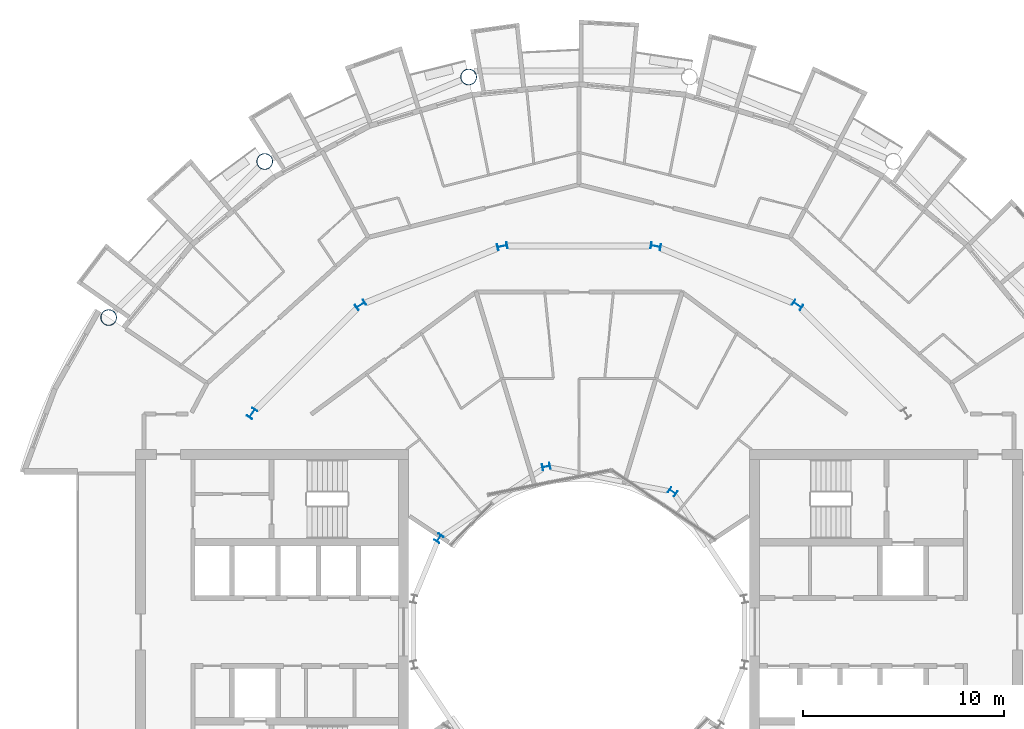
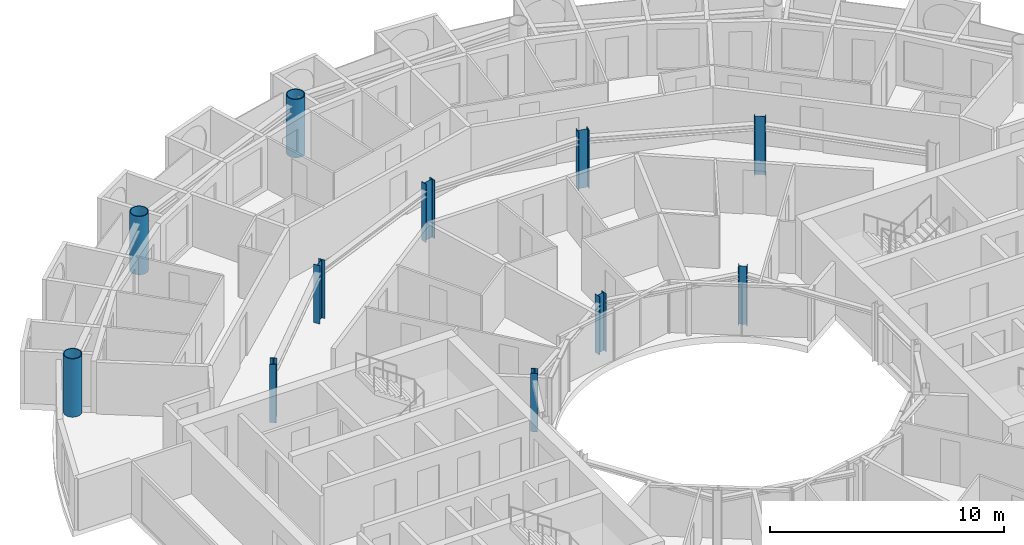
# One storey, part 3 of 26: 11 columns.
"""IFC4 building model written with IfcOpenShell, lengths in metres."""

import ifcopenshell
import ifcopenshell.guid

model = None  # the IFC model being written
_history = None  # IfcOwnerHistory: only IFC2X3 demands one
_inside = {}  # id of a spatial element -> (the spatial element, [elements in it])
_under = {}  # id of a project, library or spatial element -> (it, [spatial elements below it])
_declared = {}  # id of a project -> (the project, [libraries it declares])
_typed = {}  # id of a type object -> (the type object, [elements of that type])
_made_of = {}  # id of a material, layer set ... -> (it, [elements and type objects made of it])


def new_model(schema):
    """Start an empty IFC model of exactly this schema.

    Asked for "IFC4X3", IfcOpenShell would pick the latest addendum, in which some entities
    have other attributes; the version numbers below select the first issue.
    IFC2X3 requires an IfcOwnerHistory on every rooted entity: one is made here for all.
    """
    global model, _history
    if schema == "IFC4X3":
        model = ifcopenshell.file(schema_version=(4, 3, 0, 0))
    else:
        model = ifcopenshell.file(schema=schema)
    _inside.clear()
    _under.clear()
    _declared.clear()
    _typed.clear()
    _made_of.clear()
    _history = None
    if model.schema == "IFC2X3":
        org = make("IfcOrganization", Name="unknown")
        user = make(
            "IfcPersonAndOrganization",
            ThePerson=make("IfcPerson", FamilyName="unknown"),
            TheOrganization=org,
        )
        app = make(
            "IfcApplication",
            ApplicationDeveloper=org,
            Version="unknown",
            ApplicationFullName="unknown",
            ApplicationIdentifier="unknown",
        )
        _history = make(
            "IfcOwnerHistory",
            OwningUser=user,
            OwningApplication=app,
            ChangeAction="ADDED",
            CreationDate=0,
        )
    return model


def make(cls, **values):
    """One entity of the class cls with the attributes given. An attribute that is None is left unset."""
    return model.create_entity(
        cls, **{name: value for name, value in values.items() if value is not None}
    )


def rooted(cls, **values):
    """An entity with a GlobalId (a new one), such as an element, a storey or a relation."""
    return make(cls, GlobalId=ifcopenshell.guid.new(), OwnerHistory=_history, **values)


def si_unit(unit_type, name, prefix=None):
    """IfcSIUnit, for example si_unit("LENGTHUNIT", "METRE", prefix="MILLI")."""
    return make("IfcSIUnit", UnitType=unit_type, Prefix=prefix, Name=name)


def assignment(units):
    """IfcUnitAssignment: the units of a project."""
    return None if units is None else make("IfcUnitAssignment", Units=units)


def point(xyz):
    """IfcCartesianPoint."""
    return None if xyz is None else make("IfcCartesianPoint", Coordinates=xyz)


def direction(xyz):
    """IfcDirection."""
    return None if xyz is None else make("IfcDirection", DirectionRatios=xyz)


def frame(location, z_axis=None, x_axis=None):
    """IfcAxis2Placement3D, a coordinate frame: its origin and axes. An axis left out is left unset."""
    return make(
        "IfcAxis2Placement3D",
        Location=point(location),
        Axis=direction(z_axis),
        RefDirection=direction(x_axis),
    )


def frame_2d(location, x_axis=None):
    """IfcAxis2Placement2D, a coordinate frame in the plane: its origin and x axis."""
    return make(
        "IfcAxis2Placement2D", Location=point(location), RefDirection=direction(x_axis)
    )


def origin():
    """The frame at (0, 0, 0) with its axes left unset."""
    return frame((0.0, 0.0, 0.0))


def origin_2d():
    """The frame at (0, 0) in the plane with its x axis left unset."""
    return frame_2d((0.0, 0.0))


def place(relative_to, where):
    """IfcLocalPlacement: puts the frame where relative to a parent placement (None: the world)."""
    return make(
        "IfcLocalPlacement", PlacementRelTo=relative_to, RelativePlacement=where
    )


def context(
    kind, dimensions, precision=None, world=None, true_north=None, identifier=None
):
    """IfcGeometricRepresentationContext, for example the 3D "Model" context."""
    return make(
        "IfcGeometricRepresentationContext",
        ContextIdentifier=identifier,
        ContextType=kind,
        CoordinateSpaceDimension=dimensions,
        Precision=precision,
        WorldCoordinateSystem=world,
        TrueNorth=true_north,
    )


def subcontext(parent, identifier, kind, view, scale=None):
    """IfcGeometricRepresentationSubContext, for example "Body" below "Model"."""
    return make(
        "IfcGeometricRepresentationSubContext",
        ContextIdentifier=identifier,
        ContextType=kind,
        ParentContext=parent,
        TargetScale=scale,
        TargetView=view,
    )


def project(units=None, contexts=None):
    """IfcProject with its units and contexts."""
    return rooted(
        "IfcProject",
        Name="project",
        RepresentationContexts=contexts,
        UnitsInContext=assignment(units),
    )


def spatial(cls, under=None, at=None, **own):
    """A site, building, storey or space (cls), placed at a placement, below another one or the project."""
    s = rooted(cls, ObjectPlacement=at, **own)
    if under is not None:
        _under.setdefault(under.id(), (under, []))[1].append(s)
    return s


def profile(cls, at=None, kind="AREA", **sizes):
    """A parametric profile (cls). Its sizes go by their IFC names, for example OverallWidth=200.0."""
    return make(cls, ProfileType=kind, Position=at, **sizes)


def hollow_circle(**sizes):
    """IfcCircleHollowProfileDef."""
    return profile("IfcCircleHollowProfileDef", **sizes)


def i_section(**sizes):
    """IfcIShapeProfileDef."""
    return profile("IfcIShapeProfileDef", **sizes)


def extrude(swept, where, along, depth):
    """IfcExtrudedAreaSolid: the profile swept, set in the frame where, extruded along a direction by depth."""
    return make(
        "IfcExtrudedAreaSolid",
        SweptArea=swept,
        Position=where,
        ExtrudedDirection=direction(along),
        Depth=depth,
    )


def shape(context_of_items, identifier, shape_type, items):
    """IfcShapeRepresentation: the items that make up one representation, for example the "Body"."""
    return make(
        "IfcShapeRepresentation",
        ContextOfItems=context_of_items,
        RepresentationIdentifier=identifier,
        RepresentationType=shape_type,
        Items=items,
    )


def material(Name=None, Category=None):
    """IfcMaterial."""
    return make("IfcMaterial", Name=Name, Category=Category)


def material_profile(
    of_material, cross_section, Name=None, Category=None, Priority=None
):
    """IfcMaterialProfile: a cross section and its material."""
    return make(
        "IfcMaterialProfile",
        Name=Name,
        Material=of_material,
        Profile=cross_section,
        Priority=Priority,
        Category=Category,
    )


def profile_set(profiles, Name=None, composite=None):
    """IfcMaterialProfileSet."""
    return make(
        "IfcMaterialProfileSet",
        Name=Name,
        MaterialProfiles=profiles,
        CompositeProfile=composite,
    )


def made_of(thing, what):
    """Note that an element or type object is made of a material, layer set ...; save() writes the relation."""
    if what is not None:
        _made_of.setdefault(what.id(), (what, []))[1].append(thing)
    return thing


def type_object(cls, material=None, **own):
    """A type object (cls), such as IfcWallType, which elements share."""
    return made_of(rooted(cls, **own), material)


def element(
    cls,
    number,
    at=None,
    inside=None,
    cuts=None,
    type_object=None,
    material=None,
    context=None,
    identifier="Body",
    shape_type=None,
    held_by="IfcProductDefinitionShape",
    body=None,
    shapes=None,
    **own,
):
    """One element of the class cls, such as IfcWall. Its Tag is "e" and its number.

    at: its placement. inside: the storey or other place that contains it. cuts: it is an
    opening in that element (IfcRelVoidsElement). A single representation is given by context,
    identifier, shape_type and body (its items); several are given by shapes. held_by: the class
    of the entity that holds the representations. save() writes the other relations.
    """
    e = rooted(cls, Tag="e%d" % number, ObjectPlacement=at, **own)
    if body is not None:
        shapes = [shape(context, identifier, shape_type, body)]
    if shapes is not None:
        e.Representation = make(held_by, Representations=shapes)
    if inside is not None:
        _inside.setdefault(inside.id(), (inside, []))[1].append(e)
    if cuts is not None:
        rooted(
            "IfcRelVoidsElement", RelatingBuildingElement=cuts, RelatedOpeningElement=e
        )
    if type_object is not None:
        _typed.setdefault(type_object.id(), (type_object, []))[1].append(e)
    return made_of(e, material)


def aggregate(whole, parts):
    """IfcRelAggregates: a whole, such as a stair, and the parts it consists of."""
    return rooted("IfcRelAggregates", RelatingObject=whole, RelatedObjects=parts)


def save(model, path):
    """Write the relations noted so far, then the file.

    IfcRelAggregates (storeys below a building ...), IfcRelContainedInSpatialStructure (elements
    in a storey), IfcRelDefinesByType, IfcRelAssociatesMaterial and IfcRelDeclares: one each for
    every whole, place, type object, material and project.
    """
    for whole, parts in _under.values():
        aggregate(whole, parts)
    for where, things in _inside.values():
        rooted(
            "IfcRelContainedInSpatialStructure",
            RelatedElements=things,
            RelatingStructure=where,
        )
    for kind, things in _typed.values():
        rooted("IfcRelDefinesByType", RelatedObjects=things, RelatingType=kind)
    for what, things in _made_of.values():
        rooted("IfcRelAssociatesMaterial", RelatedObjects=things, RelatingMaterial=what)
    for by, libraries in _declared.values():
        rooted("IfcRelDeclares", RelatingContext=by, RelatedDefinitions=libraries)
    model.write(path)


model = new_model("IFC4")

# Units and contexts
model_context = context("Model", 3, precision=1e-05, world=origin(), true_north=direction((0.0, 1.0)))
body_context = subcontext(model_context, "Body", "Model", "MODEL_VIEW")
ifc_project = project(units=[si_unit("LENGTHUNIT", "METRE"), si_unit("AREAUNIT", "SQUARE_METRE"), si_unit("VOLUMEUNIT", "CUBIC_METRE"), si_unit("PLANEANGLEUNIT", "RADIAN"), si_unit("MASSUNIT", "GRAM", prefix="KILO")], contexts=[model_context])

# Site, building, storey
site_placement = place(None, origin())
site = spatial("IfcSite", under=ifc_project, at=site_placement, CompositionType="ELEMENT")
building_placement = place(site_placement, origin())
building = spatial("IfcBuilding", under=site, at=building_placement, Name="Maasbend Ring Residences", CompositionType="ELEMENT")
storey_placement = place(building_placement, frame((0.0, 0.0, 154.35009765625)))
storey = spatial("IfcBuildingStorey", under=building, at=storey_placement, Name="L44", CompositionType="ELEMENT", Elevation=154.35009765625)

# Columns
ifc_material_1 = material(Name="Composite concrete-filled steel tube S460NH / C80/95", Category="concrete")
ifc_material_profile_1 = material_profile(ifc_material_1, hollow_circle(Radius=0.406494140625, WallThickness=0.0400390625, at=origin_2d()), Name="Composite tube column CHS 813x40")
ifc_profile_set_1 = profile_set([ifc_material_profile_1], Name="Composite concrete-filled steel tube S460NH / C80/95")
column_type_1 = type_object("IfcColumnType", Name="Composite tube column CHS 813x40", PredefinedType="COLUMN", material=ifc_profile_set_1)
for number, where, z_axis, x_axis, name in (
    (1, (-5.50146484375, 27.658203125, 0.0), (0.0, 0.0, 1.0), (1.0, 0.0, 0.0), "Outer column R5"),
    (2, (-15.6669921875, 23.447509765625, 0.0), (0.0, 0.0, 1.0), (1.0, 0.0, 0.0), "Outer column R6"),
    (3, (-23.447509765625, 15.6669921875, 0.0), (0.0, 0.0, 1.0), (1.0, 0.0, 0.0), "Outer column R7"),
):
    element("IfcColumn", number, at=place(storey_placement, frame(where, z_axis=z_axis, x_axis=x_axis)), inside=storey, type_object=column_type_1, Name=name, PredefinedType="COLUMN", context=body_context, shape_type="SweptSolid", body=[
        extrude(hollow_circle(Radius=0.406494140625, WallThickness=0.0400390625, at=origin_2d()), origin(), (0.0, 0.0, 1.0), 3.0498046875),
    ])
ifc_material_2 = material(Name="Steel S355J2", Category="steel")
ifc_material_profile_2 = material_profile(ifc_material_2, i_section(OverallWidth=0.300048828125, OverallDepth=0.389892578125, WebThickness=0.010986328125, FlangeThickness=0.01904296875, FilletRadius=0.027099609375, at=origin_2d()), Name="HEA 400")
ifc_profile_set_2 = profile_set([ifc_material_profile_2], Name="Steel S355J2")
column_type_2 = type_object("IfcColumnType", Name="Steel column HEA 400", PredefinedType="COLUMN", material=ifc_profile_set_2)
for number, where, z_axis, x_axis, name in (
    (4, (4.666748046875, 6.984375, 0.0), (0.0, 0.0, 1.0), (0.55557023302, 0.831469612303, 0.0), "Well ring column R3"),
    (5, (-1.638916015625, 8.238525390625, 0.0), (0.0, 0.0, 1.0), (-0.195090322016, 0.980785280403, 0.0), "Well ring column R5"),
    (6, (-6.984375, 4.666748046875, 0.0), (0.0, 0.0, 1.0), (-0.831469612303, 0.55557023302, 0.0), "Well ring column R7"),
):
    element("IfcColumn", number, at=place(storey_placement, frame(where, z_axis=z_axis, x_axis=x_axis)), inside=storey, type_object=column_type_2, Name=name, PredefinedType="COLUMN", context=body_context, shape_type="SweptSolid", body=[
        extrude(i_section(OverallWidth=0.300048828125, OverallDepth=0.389892578125, WebThickness=0.010986328125, FlangeThickness=0.01904296875, FilletRadius=0.027099609375, at=origin_2d()), origin(), (0.0, 0.0, 1.0), 3.0498046875),
    ])
ifc_material_3 = material(Name="Steel S355J2", Category="steel")
ifc_material_profile_3 = material_profile(ifc_material_3, i_section(OverallWidth=0.300048828125, OverallDepth=0.5, WebThickness=0.014404296875, FlangeThickness=0.028076171875, FilletRadius=0.027099609375, at=origin_2d()), Name="HEB 500")
ifc_profile_set_3 = profile_set([ifc_material_profile_3], Name="Steel S355J2")
column_type_3 = type_object("IfcColumnType", Name="Steel column HEB 500", PredefinedType="COLUMN", material=ifc_profile_set_3)
for number, where, z_axis, x_axis, name in (
    (7, (10.88916015625, 16.296875, 0.0), (0.0, 0.0, 1.0), (0.55557023302, 0.831469612303, 0.0), "Corridor ring column R3"),
    (8, (3.82373046875, 19.223388671875, 0.0), (0.0, 0.0, 1.0), (0.195090322016, 0.980785280403, 0.0), "Corridor ring column R4"),
    (9, (-3.82373046875, 19.223388671875, 0.0), (0.0, 0.0, 1.0), (-0.195090322016, 0.980785280403, 0.0), "Corridor ring column R5"),
    (10, (-10.88916015625, 16.296875, 0.0), (0.0, 0.0, 1.0), (-0.55557023302, 0.831469612303, 0.0), "Corridor ring column R6"),
    (11, (-16.296875, 10.88916015625, 0.0), (0.0, 0.0, 1.0), (-0.831469612303, 0.55557023302, 0.0), "Corridor ring column R7"),
):
    element("IfcColumn", number, at=place(storey_placement, frame(where, z_axis=z_axis, x_axis=x_axis)), inside=storey, type_object=column_type_3, Name=name, PredefinedType="COLUMN", context=body_context, shape_type="SweptSolid", body=[
        extrude(i_section(OverallWidth=0.300048828125, OverallDepth=0.5, WebThickness=0.014404296875, FlangeThickness=0.028076171875, FilletRadius=0.027099609375, at=origin_2d()), origin(), (0.0, 0.0, 1.0), 3.0498046875),
    ])

save(model, "model.ifc")
